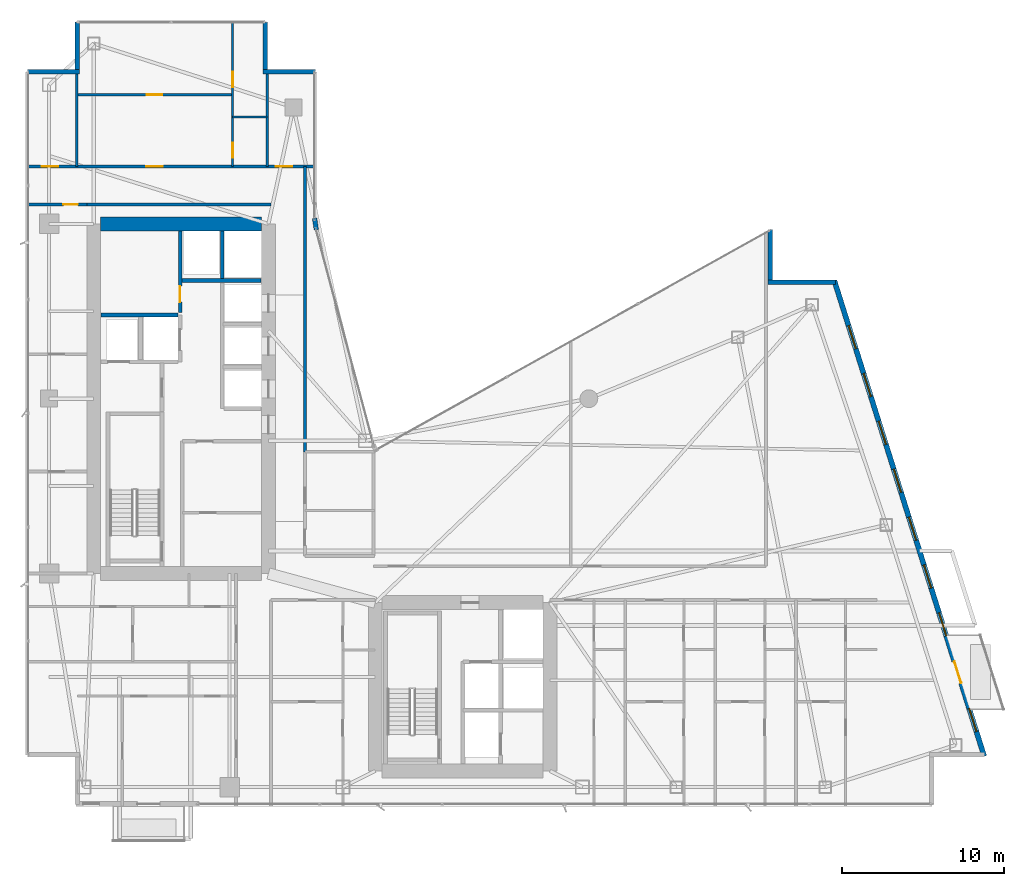
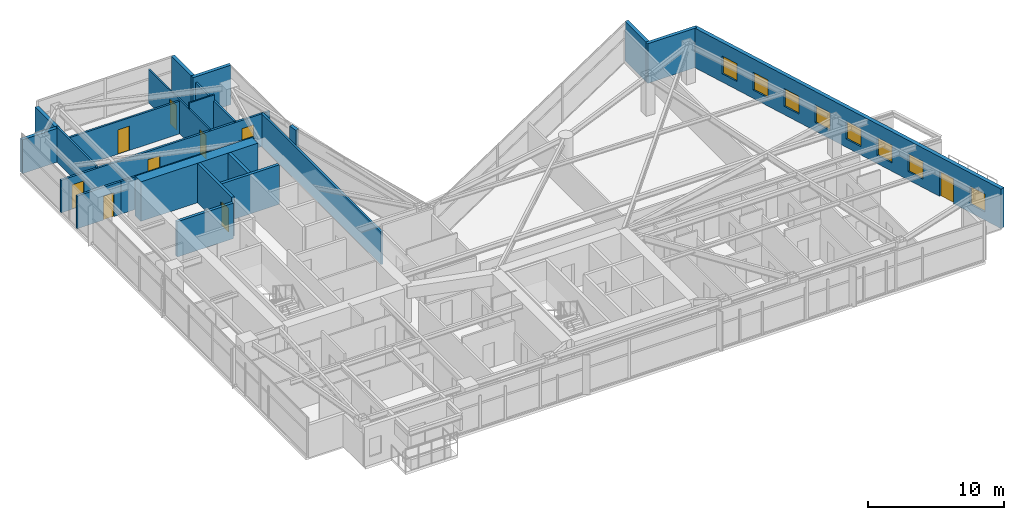
# One storey, part 25 of 29: 22 walls, 9 doors, 8 windows, 17 openings.
"""IFC4 building model written with IfcOpenShell, lengths in metres."""

from ifc_helpers import new_model, si_unit, direction, frame, frame_2d, origin, place, context, subcontext, project, spatial, rectangle, extrude, material, layer, layer_set, type_object, element, fill, save


model = new_model("IFC4")

# Units and contexts
model_context = context("Model", 3, precision=1e-05, world=origin(), true_north=direction((0.0, 1.0)))
body_context = subcontext(model_context, "Body", "Model", "MODEL_VIEW")
ifc_project = project(units=[si_unit("LENGTHUNIT", "METRE"), si_unit("AREAUNIT", "SQUARE_METRE"), si_unit("VOLUMEUNIT", "CUBIC_METRE"), si_unit("PLANEANGLEUNIT", "RADIAN"), si_unit("MASSUNIT", "GRAM", prefix="KILO")], contexts=[model_context])

# Site, building, storey
site_placement = place(None, origin())
site = spatial("IfcSite", under=ifc_project, at=site_placement, CompositionType="ELEMENT")
building_placement = place(site_placement, origin())
building = spatial("IfcBuilding", under=site, at=building_placement, Name="Calvorn Quay Hotel", CompositionType="ELEMENT")
storey_placement = place(building_placement, frame((0.0, 0.0, 171.300048828125)))
storey = spatial("IfcBuildingStorey", under=building, at=storey_placement, Name="L42", CompositionType="ELEMENT", Elevation=171.300048828125)

# Wall
ifc_material_1 = material(Name="Concrete C50", Category="concrete")
ifc_layer_1 = layer(ifc_material_1, 0.85009765625)
ifc_layer_set_1 = layer_set([ifc_layer_1], Name="WL-CORE-850")
wall_type_1 = type_object("IfcWallType", Name="WL-CORE-850", PredefinedType="SHEAR", material=ifc_layer_set_1)
wall_1_placement = place(storey_placement, frame((4.625, 38.39990234375, 0.0), z_axis=(0.0, 0.0, 1.0), x_axis=(1.0, 0.0, 0.0)))
element("IfcWall", 1, at=wall_1_placement, inside=storey, type_object=wall_type_1, Name="West Core Shear Wall N (L42)", PredefinedType="SHEAR", context=body_context, shape_type="SweptSolid", body=[
    extrude(rectangle(XDim=9.949951171875, YDim=0.85009765625, at=frame_2d((4.97509765625, 0.0))), origin(), (0.0, 0.0, 1.0), 3.56005859375),
])

# Wall, opening, door
ifc_material_2 = material(Name="Acoustic Fireboard Steel-Stud Partition", Category="steel")
ifc_layer_2 = layer(ifc_material_2, 0.179931640625)
ifc_layer_set_2 = layer_set([ifc_layer_2], Name="WL-CORR-FIRE-180")
wall_type_2 = type_object("IfcWallType", Name="WL-CORR-FIRE-180", PredefinedType="PARTITIONING", material=ifc_layer_set_2)
wall_2_placement = place(storey_placement, frame((0.080078125, 39.60009765625, 0.0), z_axis=(0.0, 0.0, 1.0), x_axis=(1.0, 0.0, 0.0)))
wall_2 = element("IfcWall", 2, at=wall_2_placement, inside=storey, type_object=wall_type_2, Name="Partition Wall L42-WL-WBAY-N-DOOR", PredefinedType="PARTITIONING", context=body_context, shape_type="SweptSolid", body=[
    extrude(rectangle(XDim=3.724853515625, YDim=0.179931640625, at=frame_2d((1.8623046875, 0.0))), origin(), (0.0, 0.0, 1.0), 2.93994140625),
])
opening_1_placement = place(wall_2_placement, frame((2.25, 0.0, 0.0)))
opening_1 = element("IfcOpeningElement", 3, at=opening_1_placement, cuts=wall_2, Name="Opening D-L42-WBN", PredefinedType="OPENING", context=body_context, shape_type="SweptSolid", body=[
    extrude(rectangle(XDim=0.89990234375, YDim=2.14990234375, at=frame_2d((0.449951171875, 1.074951171875))), frame((0.0, 0.099853515625, 0.0), z_axis=(0.0, -1.0, 0.0), x_axis=(1.0, 0.0, 0.0)), (0.0, 0.0, 1.0), 0.199951171875),
])
ifc_material_3 = material(Name="Moisture-Sealed Timber En-Suite Door", Category="wood")
door_type_1 = type_object("IfcDoorType", Name="DR-ENSUITE-900", OperationType="NOTDEFINED", PredefinedType="DOOR", material=ifc_material_3)
door_1_placement = place(opening_1_placement, origin())
door_1 = element("IfcDoor", 4, at=door_1_placement, inside=storey, type_object=door_type_1, Name="West North Bay Door (L42)", OperationType="SINGLE_SWING_LEFT", OverallHeight=2.14990234375, OverallWidth=0.89990234375, PredefinedType="DOOR", context=body_context, shape_type="SweptSolid", body=[
    extrude(rectangle(XDim=0.89990234375, YDim=2.14990234375, at=frame_2d((0.449951171875, 1.074951171875))), frame((0.0, 0.02490234375, 0.0), z_axis=(0.0, -1.0, 0.0), x_axis=(1.0, 0.0, 0.0)), (0.0, 0.0, 1.0), 0.050048828125),
])
fill(opening_1, door_1)

# Wall, openings, doors
wall_3_placement = place(storey_placement, frame((0.080078125, 41.949951171875, 0.0), z_axis=(0.0, 0.0, 1.0), x_axis=(1.0, 0.0, 0.0)))
wall_3 = element("IfcWall", 5, at=wall_3_placement, inside=storey, type_object=wall_type_2, Name="Partition Wall L42-WL-CORR-NW-N", PredefinedType="PARTITIONING", context=body_context, shape_type="SweptSolid", body=[
    extrude(rectangle(XDim=17.77001953125, YDim=0.179931640625, at=frame_2d((8.885009765625, 0.0))), origin(), (0.0, 0.0, 1.0), 2.93994140625),
])
opening_2_placement = place(wall_3_placement, frame((0.89990234375, 0.0, 0.0)))
opening_2 = element("IfcOpeningElement", 6, at=opening_2_placement, cuts=wall_3, Name="Opening D-L42-NWW", PredefinedType="OPENING", context=body_context, shape_type="SweptSolid", body=[
    extrude(rectangle(XDim=1.02001953125, YDim=2.199951171875, at=frame_2d((0.510009765625, 1.10009765625))), frame((0.0, 0.099853515625, 0.0), z_axis=(0.0, -1.0, 0.0), x_axis=(1.0, 0.0, 0.0)), (0.0, 0.0, 1.0), 0.199951171875),
])
opening_3_placement = place(wall_3_placement, frame((7.3798828125, 0.0, 0.0)))
opening_3 = element("IfcOpeningElement", 7, at=opening_3_placement, cuts=wall_3, Name="Opening D-L42-U04", PredefinedType="OPENING", context=body_context, shape_type="SweptSolid", body=[
    extrude(rectangle(XDim=1.02001953125, YDim=2.199951171875, at=frame_2d((0.510009765625, 1.10009765625))), frame((0.0, 0.099853515625, 0.0), z_axis=(0.0, -1.0, 0.0), x_axis=(1.0, 0.0, 0.0)), (0.0, 0.0, 1.0), 0.199951171875),
])
opening_4_placement = place(wall_3_placement, frame((15.3701171875, 0.0, 0.0)))
opening_4 = element("IfcOpeningElement", 8, at=opening_4_placement, cuts=wall_3, Name="Opening D-L42-NWE", PredefinedType="OPENING", context=body_context, shape_type="SweptSolid", body=[
    extrude(rectangle(XDim=1.02001953125, YDim=2.199951171875, at=frame_2d((0.510009765625, 1.10009765625))), frame((0.0, 0.099853515625, 0.0), z_axis=(0.0, -1.0, 0.0), x_axis=(1.0, 0.0, 0.0)), (0.0, 0.0, 1.0), 0.199951171875),
])
ifc_material_4 = material(Name="Solid-Core Walnut Veneer Hotel Fire Door")
door_type_2 = type_object("IfcDoorType", Name="DR-GUEST-ENTRY-1020", OperationType="NOTDEFINED", PredefinedType="DOOR", material=ifc_material_4)
door_2_placement = place(opening_2_placement, origin())
door_2 = element("IfcDoor", 9, at=door_2_placement, inside=storey, type_object=door_type_2, Name="West Corner Study Door (L42)", OperationType="SINGLE_SWING_LEFT", OverallHeight=2.199951171875, OverallWidth=1.02001953125, PredefinedType="DOOR", context=body_context, shape_type="SweptSolid", body=[
    extrude(rectangle(XDim=1.02001953125, YDim=2.199951171875, at=frame_2d((0.510009765625, 1.10009765625))), frame((0.0, 0.02490234375, 0.0), z_axis=(0.0, -1.0, 0.0), x_axis=(1.0, 0.0, 0.0)), (0.0, 0.0, 1.0), 0.050048828125),
])
fill(opening_2, door_2)
door_3_placement = place(opening_3_placement, origin())
door_3 = element("IfcDoor", 10, at=door_3_placement, inside=storey, type_object=door_type_2, Name="North-West Unit Door U04 (L42)", OperationType="SINGLE_SWING_RIGHT", OverallHeight=2.199951171875, OverallWidth=1.02001953125, PredefinedType="DOOR", context=body_context, shape_type="SweptSolid", body=[
    extrude(rectangle(XDim=1.02001953125, YDim=2.199951171875, at=frame_2d((0.510009765625, 1.10009765625))), frame((0.0, 0.02490234375, 0.0), z_axis=(0.0, -1.0, 0.0), x_axis=(1.0, 0.0, 0.0)), (0.0, 0.0, 1.0), 0.050048828125),
])
fill(opening_3, door_3)
door_4_placement = place(opening_4_placement, origin())
door_4 = element("IfcDoor", 11, at=door_4_placement, inside=storey, type_object=door_type_2, Name="Inner Court Study Door (L42)", OperationType="SINGLE_SWING_RIGHT", OverallHeight=2.199951171875, OverallWidth=1.02001953125, PredefinedType="DOOR", context=body_context, shape_type="SweptSolid", body=[
    extrude(rectangle(XDim=1.02001953125, YDim=2.199951171875, at=frame_2d((0.510009765625, 1.10009765625))), frame((0.0, 0.02490234375, 0.0), z_axis=(0.0, -1.0, 0.0), x_axis=(1.0, 0.0, 0.0)), (0.0, 0.0, 1.0), 0.050048828125),
])
fill(opening_4, door_4)

# Walls
wall_4_placement = place(storey_placement, frame((17.25, 24.300048828125, 0.0), z_axis=(0.0, 0.0, 1.0), x_axis=(0.0, 1.0, 0.0)))
element("IfcWall", 12, at=wall_4_placement, inside=storey, type_object=wall_type_2, Name="Partition Wall L42-WL-NW-CLOSURE-E", PredefinedType="PARTITIONING", context=body_context, shape_type="SweptSolid", body=[
    extrude(rectangle(XDim=17.64990234375, YDim=0.179931640625, at=frame_2d((8.824951171875, 0.0))), origin(), (0.0, 0.0, 1.0), 2.93994140625),
])
wall_5_placement = place(storey_placement, frame((3.7548828125, 39.60009765625, 0.0), z_axis=(0.0, 0.0, 1.0), x_axis=(1.0, 0.0, 0.0)))
element("IfcWall", 13, at=wall_5_placement, inside=storey, type_object=wall_type_2, Name="Partition Wall L42-WL-W-SPUR-S", PredefinedType="PARTITIONING", context=body_context, shape_type="SweptSolid", body=[
    extrude(rectangle(XDim=11.39501953125, YDim=0.179931640625, at=frame_2d((5.697509765625, 0.0))), origin(), (0.0, 0.0, 1.0), 2.93994140625),
])
ifc_material_5 = material(Name="Moisture-Resistant Tile-Backed Partition")
ifc_layer_3 = layer(ifc_material_5, 0.125)
ifc_layer_set_3 = layer_set([ifc_layer_3], Name="WL-ENSUITE-125")
wall_type_3 = type_object("IfcWallType", Name="WL-ENSUITE-125", PredefinedType="PARTITIONING", material=ifc_layer_set_3)
wall_6_placement = place(storey_placement, frame((12.7900390625, 45.02001953125, 0.0), z_axis=(0.0, 0.0, 1.0), x_axis=(1.0, 0.0, 0.0)))
element("IfcWall", 14, at=wall_6_placement, inside=storey, type_object=wall_type_3, Name="Partition Wall L42-WL-U04-BDV", PredefinedType="PARTITIONING", context=body_context, shape_type="SweptSolid", body=[
    extrude(rectangle(XDim=2.1298828125, YDim=0.125, at=frame_2d((1.06494140625, 0.0))), origin(), (0.0, 0.0, 1.0), 3.56005859375),
])

# Wall, openings, doors
wall_7_placement = place(storey_placement, frame((12.7900390625, 41.949951171875, 0.0), z_axis=(0.0, 0.0, 1.0), x_axis=(0.0, 1.0, 0.0)))
wall_7 = element("IfcWall", 15, at=wall_7_placement, inside=storey, type_object=wall_type_3, Name="Partition Wall L42-WL-U04-BV", PredefinedType="PARTITIONING", context=body_context, shape_type="SweptSolid", body=[
    extrude(rectangle(XDim=8.989990234375, YDim=0.125, at=frame_2d((4.4951171875, 0.0))), origin(), (0.0, 0.0, 1.0), 3.0400390625),
])
opening_5_placement = place(wall_7_placement, frame((0.550048828125, 0.0, 0.0)))
opening_5 = element("IfcOpeningElement", 16, at=opening_5_placement, cuts=wall_7, Name="Opening D-L42-E04", PredefinedType="OPENING", context=body_context, shape_type="SweptSolid", body=[
    extrude(rectangle(XDim=0.89990234375, YDim=2.14990234375, at=frame_2d((0.449951171875, 1.074951171875))), frame((0.0, 0.072509765625, 0.0), z_axis=(0.0, -1.0, 0.0), x_axis=(1.0, 0.0, 0.0)), (0.0, 0.0, 1.0), 0.14501953125),
])
opening_6_placement = place(wall_7_placement, frame((4.8798828125, 0.0, 0.0)))
opening_6 = element("IfcOpeningElement", 17, at=opening_6_placement, cuts=wall_7, Name="Opening D-L42-S04", PredefinedType="OPENING", context=body_context, shape_type="SweptSolid", body=[
    extrude(rectangle(XDim=0.9599609375, YDim=2.199951171875, at=frame_2d((0.47998046875, 1.10009765625))), frame((0.0, 0.072509765625, 0.0), z_axis=(0.0, -1.0, 0.0), x_axis=(1.0, 0.0, 0.0)), (0.0, 0.0, 1.0), 0.14501953125),
])
door_5_placement = place(opening_5_placement, origin())
door_5 = element("IfcDoor", 18, at=door_5_placement, inside=storey, type_object=door_type_1, Name="En-Suite Door 04", OperationType="SINGLE_SWING_LEFT", OverallHeight=2.14990234375, OverallWidth=0.89990234375, PredefinedType="DOOR", context=body_context, shape_type="SweptSolid", body=[
    extrude(rectangle(XDim=0.89990234375, YDim=2.14990234375, at=frame_2d((0.449951171875, 1.074951171875))), frame((0.0, 0.02490234375, 0.0), z_axis=(0.0, -1.0, 0.0), x_axis=(1.0, 0.0, 0.0)), (0.0, 0.0, 1.0), 0.050048828125),
])
fill(opening_5, door_5)
ifc_material_6 = material(Name="Solid Timber Internal Suite Door", Category="wood")
door_type_3 = type_object("IfcDoorType", Name="DR-SUITE-INT-960", OperationType="NOTDEFINED", PredefinedType="DOOR", material=ifc_material_6)
door_6_placement = place(opening_6_placement, origin())
door_6 = element("IfcDoor", 19, at=door_6_placement, inside=storey, type_object=door_type_3, Name="Private Media Cinema Door 04", OperationType="SINGLE_SWING_RIGHT", OverallHeight=2.199951171875, OverallWidth=0.9599609375, PredefinedType="DOOR", context=body_context, shape_type="SweptSolid", body=[
    extrude(rectangle(XDim=0.9599609375, YDim=2.199951171875, at=frame_2d((0.47998046875, 1.10009765625))), frame((0.0, 0.02490234375, 0.0), z_axis=(0.0, -1.0, 0.0), x_axis=(1.0, 0.0, 0.0)), (0.0, 0.0, 1.0), 0.050048828125),
])
fill(opening_6, door_6)

# Walls
ifc_material_7 = material(Name="Concrete C40", Category="concrete")
ifc_layer_4 = layer(ifc_material_7, 0.320068359375)
ifc_layer_set_4 = layer_set([ifc_layer_4], Name="WL-EXT-SPANDREL-320")
wall_type_4 = type_object("IfcWallType", Name="WL-EXT-SPANDREL-320", PredefinedType="SOLIDWALL", material=ifc_layer_set_4)
wall_8_placement = place(storey_placement, frame((17.9619140625, 38.030029296875, 0.0), z_axis=(0.0, 0.0, 1.0), x_axis=(-0.15141125477, 0.988470855377, 0.0)))
element("IfcWall", 20, at=wall_8_placement, inside=storey, type_object=wall_type_4, Name="Inner Court Corner Pier L42-ICJ2", PredefinedType="SOLIDWALL", context=body_context, shape_type="SweptSolid", body=[
    extrude(rectangle(XDim=0.738525390625, YDim=0.280029296875, at=frame_2d((0.369140625, 0.0))), origin(), (0.0, 0.0, 1.0), 3.56005859375),
])
wall_9_placement = place(storey_placement, frame((50.0400390625, 34.800048828125, 0.0), z_axis=(0.0, 0.0, 1.0), x_axis=(-1.0, 0.0, 0.0)))
element("IfcWall", 21, at=wall_9_placement, inside=storey, type_object=wall_type_4, Name="Notched Corner Spandrel L42-NE1", PredefinedType="SOLIDWALL", context=body_context, shape_type="SweptSolid", body=[
    extrude(rectangle(XDim=4.179931640625, YDim=0.280029296875, at=frame_2d((2.08984375, 0.0))), origin(), (0.0, 0.0, 1.0), 3.56005859375),
])
wall_10_placement = place(storey_placement, frame((46.0, 34.93994140625, 0.0), z_axis=(0.0, 0.0, 1.0), x_axis=(0.0, 1.0, 0.0)))
element("IfcWall", 22, at=wall_10_placement, inside=storey, type_object=wall_type_4, Name="Notched Corner Spandrel L42-NE2", PredefinedType="SOLIDWALL", context=body_context, shape_type="SweptSolid", body=[
    extrude(rectangle(XDim=3.10009765625, YDim=0.280029296875, at=frame_2d((1.550048828125, 0.0))), origin(), (0.0, 0.0, 1.0), 3.56005859375),
])
wall_11_placement = place(storey_placement, frame((17.89990234375, 47.800048828125, 0.0), z_axis=(0.0, 0.0, 1.0), x_axis=(-1.0, 0.0, 0.0)))
element("IfcWall", 23, at=wall_11_placement, inside=storey, type_object=wall_type_4, Name="Notched Corner Spandrel L42-NWE1", PredefinedType="SOLIDWALL", context=body_context, shape_type="SweptSolid", body=[
    extrude(rectangle(XDim=3.239990234375, YDim=0.280029296875, at=frame_2d((1.6201171875, 0.0))), origin(), (0.0, 0.0, 1.0), 3.56005859375),
])
wall_12_placement = place(storey_placement, frame((14.800048828125, 47.93994140625, 0.0), z_axis=(0.0, 0.0, 1.0), x_axis=(0.0, 1.0, 0.0)))
element("IfcWall", 24, at=wall_12_placement, inside=storey, type_object=wall_type_4, Name="Notched Corner Spandrel L42-NWE2", PredefinedType="SOLIDWALL", context=body_context, shape_type="SweptSolid", body=[
    extrude(rectangle(XDim=2.93994140625, YDim=0.280029296875, at=frame_2d((1.469970703125, 0.0))), origin(), (0.0, 0.0, 1.0), 3.56005859375),
])
wall_13_placement = place(storey_placement, frame((3.199951171875, 50.8798828125, 0.0), z_axis=(0.0, 0.0, 1.0), x_axis=(0.0, -1.0, 0.0)))
element("IfcWall", 25, at=wall_13_placement, inside=storey, type_object=wall_type_4, Name="Notched Corner Spandrel L42-NW1", PredefinedType="SOLIDWALL", context=body_context, shape_type="SweptSolid", body=[
    extrude(rectangle(XDim=2.93994140625, YDim=0.280029296875, at=frame_2d((1.469970703125, 0.0))), origin(), (0.0, 0.0, 1.0), 3.0400390625),
])
wall_14_placement = place(storey_placement, frame((3.340087890625, 47.800048828125, 0.0), z_axis=(0.0, 0.0, 1.0), x_axis=(-1.0, 0.0, 0.0)))
element("IfcWall", 26, at=wall_14_placement, inside=storey, type_object=wall_type_4, Name="Notched Corner Spandrel L42-NW2", PredefinedType="SOLIDWALL", context=body_context, shape_type="SweptSolid", body=[
    extrude(rectangle(XDim=3.219970703125, YDim=0.280029296875, at=frame_2d((1.60986328125, 0.0))), origin(), (0.0, 0.0, 1.0), 3.0400390625),
])

# Wall, openings, door, windows
wall_15_placement = place(storey_placement, frame((59.22998046875, 5.5048828125, 0.0), z_axis=(0.0, 0.0, 1.0), x_axis=(-0.300509063924, 0.953778958931, 0.0)))
wall_15 = element("IfcWall", 27, at=wall_15_placement, inside=storey, type_object=wall_type_4, Name="East Stepped Waterfront Exterior Wall (L42)", PredefinedType="SOLIDWALL", context=body_context, shape_type="SweptSolid", body=[
    extrude(rectangle(XDim=30.814453125, YDim=0.320068359375, at=frame_2d((15.4072265625, 0.0))), origin(), (0.0, 0.0, 1.0), 3.56005859375),
])
opening_7_placement = place(wall_15_placement, frame((4.7470703125, 0.0, 0.0)))
opening_7 = element("IfcOpeningElement", 28, at=opening_7_placement, cuts=wall_15, Name="Opening DB-L42-1", PredefinedType="OPENING", context=body_context, shape_type="SweptSolid", body=[
    extrude(rectangle(XDim=1.39990234375, YDim=2.25, at=frame_2d((0.699951171875, 1.125))), frame((0.0, 0.169921875, 0.0), z_axis=(0.0, -1.0, 0.0), x_axis=(1.0, 0.0, 0.0)), (0.0, 0.0, 1.0), 0.340087890625),
])
opening_8_placement = place(wall_15_placement, frame((1.60009765625, 0.0, 0.75)))
opening_8 = element("IfcOpeningElement", 29, at=opening_8_placement, cuts=wall_15, Name="Opening WG-L42-E1", PredefinedType="OPENING", context=body_context, shape_type="SweptSolid", body=[
    extrude(rectangle(XDim=1.5, YDim=1.60009765625, at=frame_2d((0.75, 0.800048828125))), frame((0.0, 0.169921875, 0.0), z_axis=(0.0, -1.0, 0.0), x_axis=(1.0, 0.0, 0.0)), (0.0, 0.0, 1.0), 0.340087890625),
])
opening_9_placement = place(wall_15_placement, frame((7.800048828125, 0.0, 0.75)))
opening_9 = element("IfcOpeningElement", 30, at=opening_9_placement, cuts=wall_15, Name="Opening WG-L42-E2", PredefinedType="OPENING", context=body_context, shape_type="SweptSolid", body=[
    extrude(rectangle(XDim=1.5, YDim=1.60009765625, at=frame_2d((0.75, 0.800048828125))), frame((0.0, 0.169921875, 0.0), z_axis=(0.0, -1.0, 0.0), x_axis=(1.0, 0.0, 0.0)), (0.0, 0.0, 1.0), 0.340087890625),
])
opening_10_placement = place(wall_15_placement, frame((10.89990234375, 0.0, 0.75)))
opening_10 = element("IfcOpeningElement", 31, at=opening_10_placement, cuts=wall_15, Name="Opening WG-L42-E3", PredefinedType="OPENING", context=body_context, shape_type="SweptSolid", body=[
    extrude(rectangle(XDim=1.5, YDim=1.60009765625, at=frame_2d((0.75, 0.800048828125))), frame((0.0, 0.169921875, 0.0), z_axis=(0.0, -1.0, 0.0), x_axis=(1.0, 0.0, 0.0)), (0.0, 0.0, 1.0), 0.340087890625),
])
opening_11_placement = place(wall_15_placement, frame((14.0, 0.0, 0.75)))
opening_11 = element("IfcOpeningElement", 32, at=opening_11_placement, cuts=wall_15, Name="Opening WG-L42-E4", PredefinedType="OPENING", context=body_context, shape_type="SweptSolid", body=[
    extrude(rectangle(XDim=1.5, YDim=1.60009765625, at=frame_2d((0.75, 0.800048828125))), frame((0.0, 0.169921875, 0.0), z_axis=(0.0, -1.0, 0.0), x_axis=(1.0, 0.0, 0.0)), (0.0, 0.0, 1.0), 0.340087890625),
])
opening_12_placement = place(wall_15_placement, frame((17.10009765625, 0.0, 0.75)))
opening_12 = element("IfcOpeningElement", 33, at=opening_12_placement, cuts=wall_15, Name="Opening WG-L42-E5", PredefinedType="OPENING", context=body_context, shape_type="SweptSolid", body=[
    extrude(rectangle(XDim=1.5, YDim=1.60009765625, at=frame_2d((0.75, 0.800048828125))), frame((0.0, 0.169921875, 0.0), z_axis=(0.0, -1.0, 0.0), x_axis=(1.0, 0.0, 0.0)), (0.0, 0.0, 1.0), 0.340087890625),
])
opening_13_placement = place(wall_15_placement, frame((20.199951171875, 0.0, 0.75)))
opening_13 = element("IfcOpeningElement", 34, at=opening_13_placement, cuts=wall_15, Name="Opening WG-L42-E6", PredefinedType="OPENING", context=body_context, shape_type="SweptSolid", body=[
    extrude(rectangle(XDim=1.5, YDim=1.60009765625, at=frame_2d((0.75, 0.800048828125))), frame((0.0, 0.169921875, 0.0), z_axis=(0.0, -1.0, 0.0), x_axis=(1.0, 0.0, 0.0)), (0.0, 0.0, 1.0), 0.340087890625),
])
opening_14_placement = place(wall_15_placement, frame((23.300048828125, 0.0, 0.75)))
opening_14 = element("IfcOpeningElement", 35, at=opening_14_placement, cuts=wall_15, Name="Opening WG-L42-E7", PredefinedType="OPENING", context=body_context, shape_type="SweptSolid", body=[
    extrude(rectangle(XDim=1.5, YDim=1.60009765625, at=frame_2d((0.75, 0.800048828125))), frame((0.0, 0.169921875, 0.0), z_axis=(0.0, -1.0, 0.0), x_axis=(1.0, 0.0, 0.0)), (0.0, 0.0, 1.0), 0.340087890625),
])
opening_15_placement = place(wall_15_placement, frame((26.39990234375, 0.0, 0.75)))
opening_15 = element("IfcOpeningElement", 36, at=opening_15_placement, cuts=wall_15, Name="Opening WG-L42-E8", PredefinedType="OPENING", context=body_context, shape_type="SweptSolid", body=[
    extrude(rectangle(XDim=1.5, YDim=1.60009765625, at=frame_2d((0.75, 0.800048828125))), frame((0.0, 0.169921875, 0.0), z_axis=(0.0, -1.0, 0.0), x_axis=(1.0, 0.0, 0.0)), (0.0, 0.0, 1.0), 0.340087890625),
])
ifc_material_8 = material(Name="Typhoon-Rated Low-E Aluminium Terrace Door", Category="aluminium")
door_type_4 = type_object("IfcDoorType", Name="DR-BALCONY-GLZ-1400", OperationType="NOTDEFINED", PredefinedType="DOOR", material=ifc_material_8)
door_7_placement = place(opening_7_placement, origin())
door_7 = element("IfcDoor", 37, at=door_7_placement, inside=storey, type_object=door_type_4, Name="Tree Balcony Terrace Door L42-BALC-E", OperationType="SINGLE_SWING_LEFT", OverallHeight=2.25, OverallWidth=1.39990234375, PredefinedType="DOOR", context=body_context, shape_type="SweptSolid", body=[
    extrude(rectangle(XDim=1.39990234375, YDim=2.25, at=frame_2d((0.699951171875, 1.125))), frame((0.0, 0.02490234375, 0.0), z_axis=(0.0, -1.0, 0.0), x_axis=(1.0, 0.0, 0.0)), (0.0, 0.0, 1.0), 0.050048828125),
])
fill(opening_7, door_7)
ifc_material_9 = material(Name="Self-Closing Class B Fire Window")
window_type = type_object("IfcWindowType", Name="WIN-REFUGE-1500x1600", PartitioningType="SINGLE_PANEL", PredefinedType="WINDOW", material=ifc_material_9)
window_1_placement = place(opening_8_placement, origin())
window_1 = element("IfcWindow", 38, at=window_1_placement, inside=storey, type_object=window_type, Name="East Facade Window L42-E1", OverallHeight=1.60009765625, OverallWidth=1.5, PartitioningType="SINGLE_PANEL", PredefinedType="WINDOW", context=body_context, shape_type="SweptSolid", body=[
    extrude(rectangle(XDim=1.5, YDim=1.60009765625, at=frame_2d((0.75, 0.800048828125))), frame((0.0, 0.030029296875, 0.0), z_axis=(0.0, -1.0, 0.0), x_axis=(1.0, 0.0, 0.0)), (0.0, 0.0, 1.0), 0.06005859375),
])
fill(opening_8, window_1)
window_2_placement = place(opening_9_placement, origin())
window_2 = element("IfcWindow", 39, at=window_2_placement, inside=storey, type_object=window_type, Name="East Facade Window L42-E2", OverallHeight=1.60009765625, OverallWidth=1.5, PartitioningType="SINGLE_PANEL", PredefinedType="WINDOW", context=body_context, shape_type="SweptSolid", body=[
    extrude(rectangle(XDim=1.5, YDim=1.60009765625, at=frame_2d((0.75, 0.800048828125))), frame((0.0, 0.030029296875, 0.0), z_axis=(0.0, -1.0, 0.0), x_axis=(1.0, 0.0, 0.0)), (0.0, 0.0, 1.0), 0.06005859375),
])
fill(opening_9, window_2)
window_3_placement = place(opening_10_placement, origin())
window_3 = element("IfcWindow", 40, at=window_3_placement, inside=storey, type_object=window_type, Name="East Facade Window L42-E3", OverallHeight=1.60009765625, OverallWidth=1.5, PartitioningType="SINGLE_PANEL", PredefinedType="WINDOW", context=body_context, shape_type="SweptSolid", body=[
    extrude(rectangle(XDim=1.5, YDim=1.60009765625, at=frame_2d((0.75, 0.800048828125))), frame((0.0, 0.030029296875, 0.0), z_axis=(0.0, -1.0, 0.0), x_axis=(1.0, 0.0, 0.0)), (0.0, 0.0, 1.0), 0.06005859375),
])
fill(opening_10, window_3)
window_4_placement = place(opening_11_placement, origin())
window_4 = element("IfcWindow", 41, at=window_4_placement, inside=storey, type_object=window_type, Name="East Facade Window L42-E4", OverallHeight=1.60009765625, OverallWidth=1.5, PartitioningType="SINGLE_PANEL", PredefinedType="WINDOW", context=body_context, shape_type="SweptSolid", body=[
    extrude(rectangle(XDim=1.5, YDim=1.60009765625, at=frame_2d((0.75, 0.800048828125))), frame((0.0, 0.030029296875, 0.0), z_axis=(0.0, -1.0, 0.0), x_axis=(1.0, 0.0, 0.0)), (0.0, 0.0, 1.0), 0.06005859375),
])
fill(opening_11, window_4)
window_5_placement = place(opening_12_placement, origin())
window_5 = element("IfcWindow", 42, at=window_5_placement, inside=storey, type_object=window_type, Name="East Facade Window L42-E5", OverallHeight=1.60009765625, OverallWidth=1.5, PartitioningType="SINGLE_PANEL", PredefinedType="WINDOW", context=body_context, shape_type="SweptSolid", body=[
    extrude(rectangle(XDim=1.5, YDim=1.60009765625, at=frame_2d((0.75, 0.800048828125))), frame((0.0, 0.030029296875, 0.0), z_axis=(0.0, -1.0, 0.0), x_axis=(1.0, 0.0, 0.0)), (0.0, 0.0, 1.0), 0.06005859375),
])
fill(opening_12, window_5)
window_6_placement = place(opening_13_placement, origin())
window_6 = element("IfcWindow", 43, at=window_6_placement, inside=storey, type_object=window_type, Name="East Facade Window L42-E6", OverallHeight=1.60009765625, OverallWidth=1.5, PartitioningType="SINGLE_PANEL", PredefinedType="WINDOW", context=body_context, shape_type="SweptSolid", body=[
    extrude(rectangle(XDim=1.5, YDim=1.60009765625, at=frame_2d((0.75, 0.800048828125))), frame((0.0, 0.030029296875, 0.0), z_axis=(0.0, -1.0, 0.0), x_axis=(1.0, 0.0, 0.0)), (0.0, 0.0, 1.0), 0.06005859375),
])
fill(opening_13, window_6)
window_7_placement = place(opening_14_placement, origin())
window_7 = element("IfcWindow", 44, at=window_7_placement, inside=storey, type_object=window_type, Name="East Facade Window L42-E7", OverallHeight=1.60009765625, OverallWidth=1.5, PartitioningType="SINGLE_PANEL", PredefinedType="WINDOW", context=body_context, shape_type="SweptSolid", body=[
    extrude(rectangle(XDim=1.5, YDim=1.60009765625, at=frame_2d((0.75, 0.800048828125))), frame((0.0, 0.030029296875, 0.0), z_axis=(0.0, -1.0, 0.0), x_axis=(1.0, 0.0, 0.0)), (0.0, 0.0, 1.0), 0.06005859375),
])
fill(opening_14, window_7)
window_8_placement = place(opening_15_placement, origin())
window_8 = element("IfcWindow", 45, at=window_8_placement, inside=storey, type_object=window_type, Name="East Facade Window L42-E8", OverallHeight=1.60009765625, OverallWidth=1.5, PartitioningType="SINGLE_PANEL", PredefinedType="WINDOW", context=body_context, shape_type="SweptSolid", body=[
    extrude(rectangle(XDim=1.5, YDim=1.60009765625, at=frame_2d((0.75, 0.800048828125))), frame((0.0, 0.030029296875, 0.0), z_axis=(0.0, -1.0, 0.0), x_axis=(1.0, 0.0, 0.0)), (0.0, 0.0, 1.0), 0.06005859375),
])
fill(opening_15, window_8)

# Walls
ifc_material_10 = material(Name="Double-Stud Acoustic Gypsum Partition")
ifc_layer_5 = layer(ifc_material_10, 0.159912109375)
ifc_layer_set_5 = layer_set([ifc_layer_5], Name="WL-INTERSUITE-160")
wall_type_5 = type_object("IfcWallType", Name="WL-INTERSUITE-160", PredefinedType="PARTITIONING", material=ifc_layer_set_5)
wall_16_placement = place(storey_placement, frame((3.14990234375, 41.949951171875, 0.0), z_axis=(0.0, 0.0, 1.0), x_axis=(0.0, 1.0, 0.0)))
element("IfcWall", 46, at=wall_16_placement, inside=storey, type_object=wall_type_5, Name="Partition Wall L42-WL-NW-DIV-W0", PredefinedType="PARTITIONING", context=body_context, shape_type="SweptSolid", body=[
    extrude(rectangle(XDim=5.85009765625, YDim=0.159912109375, at=frame_2d((2.925048828125, 0.0))), origin(), (0.0, 0.0, 1.0), 3.139892578125),
])
wall_17_placement = place(storey_placement, frame((14.919921875, 41.949951171875, 0.0), z_axis=(0.0, 0.0, 1.0), x_axis=(0.0, 1.0, 0.0)))
element("IfcWall", 47, at=wall_17_placement, inside=storey, type_object=wall_type_5, Name="Partition Wall L42-WL-NW-DIV-E0", PredefinedType="PARTITIONING", context=body_context, shape_type="SweptSolid", body=[
    extrude(rectangle(XDim=5.85009765625, YDim=0.159912109375, at=frame_2d((2.925048828125, 0.0))), origin(), (0.0, 0.0, 1.0), 3.0400390625),
])

# Wall, opening, door
wall_18_placement = place(storey_placement, frame((3.14990234375, 46.3798828125, 0.0), z_axis=(0.0, 0.0, 1.0), x_axis=(1.0, 0.0, 0.0)))
wall_18 = element("IfcWall", 48, at=wall_18_placement, inside=storey, type_object=wall_type_5, Name="Partition Wall L42-WL-U04-MSP", PredefinedType="PARTITIONING", context=body_context, shape_type="SweptSolid", body=[
    extrude(rectangle(XDim=9.64013671875, YDim=0.159912109375, at=frame_2d((4.820068359375, 0.0))), origin(), (0.0, 0.0, 1.0), 2.93994140625),
])
opening_16_placement = place(wall_18_placement, frame((4.340087890625, 0.0, 0.0)))
opening_16 = element("IfcOpeningElement", 49, at=opening_16_placement, cuts=wall_18, Name="Opening D-L42-M04", PredefinedType="OPENING", context=body_context, shape_type="SweptSolid", body=[
    extrude(rectangle(XDim=0.9599609375, YDim=2.199951171875, at=frame_2d((0.47998046875, 1.10009765625))), frame((0.0, 0.08984375, 0.0), z_axis=(0.0, -1.0, 0.0), x_axis=(1.0, 0.0, 0.0)), (0.0, 0.0, 1.0), 0.179931640625),
])
door_8_placement = place(opening_16_placement, origin())
door_8 = element("IfcDoor", 50, at=door_8_placement, inside=storey, type_object=door_type_3, Name="Suite Bedroom Door 04", OperationType="SINGLE_SWING_LEFT", OverallHeight=2.199951171875, OverallWidth=0.9599609375, PredefinedType="DOOR", context=body_context, shape_type="SweptSolid", body=[
    extrude(rectangle(XDim=0.9599609375, YDim=2.199951171875, at=frame_2d((0.47998046875, 1.10009765625))), frame((0.0, 0.02490234375, 0.0), z_axis=(0.0, -1.0, 0.0), x_axis=(1.0, 0.0, 0.0)), (0.0, 0.0, 1.0), 0.050048828125),
])
fill(opening_16, door_8)

ifc_material_11 = material(Name="Autoclaved Aerated Masonry Block", Category="masonry")
ifc_layer_6 = layer(ifc_material_11, 0.219970703125)
ifc_layer_set_6 = layer_set([ifc_layer_6], Name="WL-LOBBY-FIRE-220")
wall_type_6 = type_object("IfcWallType", Name="WL-LOBBY-FIRE-220", PredefinedType="SOLIDWALL", material=ifc_layer_set_6)
wall_19_placement = place(storey_placement, frame((9.5400390625, 32.919921875, 0.0), z_axis=(0.0, 0.0, 1.0), x_axis=(0.0, 1.0, 0.0)))
wall_19 = element("IfcWall", 51, at=wall_19_placement, inside=storey, type_object=wall_type_6, Name="Partition Wall L42-WL-CWW-K-E", PredefinedType="SOLIDWALL", context=body_context, shape_type="SweptSolid", body=[
    extrude(rectangle(XDim=5.03515625, YDim=0.219970703125, at=frame_2d((2.517578125, 0.0))), origin(), (0.0, 0.0, 1.0), 3.56005859375),
])
opening_17_placement = place(wall_19_placement, frame((0.64990234375, 0.0, 0.0)))
opening_17 = element("IfcOpeningElement", 52, at=opening_17_placement, cuts=wall_19, Name="Opening D-L42-CK1", PredefinedType="OPENING", context=body_context, shape_type="SweptSolid", body=[
    extrude(rectangle(XDim=0.97998046875, YDim=2.14990234375, at=frame_2d((0.489990234375, 1.074951171875))), frame((0.0, 0.119873046875, 0.0), z_axis=(0.0, -1.0, 0.0), x_axis=(1.0, 0.0, 0.0)), (0.0, 0.0, 1.0), 0.239990234375),
])
ifc_material_12 = material(Name="Painted Steel Housekeeping/Riser Fire Door", Category="steel")
door_type_5 = type_object("IfcDoorType", Name="DR-SERVICE-980", OperationType="NOTDEFINED", PredefinedType="DOOR", material=ifc_material_12)
door_9_placement = place(opening_17_placement, origin())
door_9 = element("IfcDoor", 53, at=door_9_placement, inside=storey, type_object=door_type_5, Name="Core Linen Room Door (L42)", OperationType="SINGLE_SWING_LEFT", OverallHeight=2.14990234375, OverallWidth=0.97998046875, PredefinedType="DOOR", context=body_context, shape_type="SweptSolid", body=[
    extrude(rectangle(XDim=0.97998046875, YDim=2.14990234375, at=frame_2d((0.489990234375, 1.074951171875))), frame((0.0, 0.02490234375, 0.0), z_axis=(0.0, -1.0, 0.0), x_axis=(1.0, 0.0, 0.0)), (0.0, 0.0, 1.0), 0.050048828125),
])
fill(opening_17, door_9)

# Walls
ifc_material_13 = material(Name="Concrete C40", Category="concrete")
ifc_layer_7 = layer(ifc_material_13, 0.239990234375)
ifc_layer_set_7 = layer_set([ifc_layer_7], Name="WL-SHAFT-240")
wall_type_7 = type_object("IfcWallType", Name="WL-SHAFT-240", PredefinedType="SOLIDWALL", material=ifc_layer_set_7)
wall_20_placement = place(storey_placement, frame((4.64501953125, 32.780029296875, 0.0), z_axis=(0.0, 0.0, 1.0), x_axis=(1.0, 0.0, 0.0)))
element("IfcWall", 54, at=wall_20_placement, inside=storey, type_object=wall_type_7, Name="Partition Wall L42-WL-CWW-SLW-N", PredefinedType="SOLIDWALL", context=body_context, shape_type="SweptSolid", body=[
    extrude(rectangle(XDim=4.77490234375, YDim=0.239990234375, at=frame_2d((2.387451171875, 0.0))), origin(), (0.0, 0.0, 1.0), 3.18994140625),
])
wall_21_placement = place(storey_placement, frame((9.659912109375, 34.89990234375, 0.0), z_axis=(0.0, 0.0, 1.0), x_axis=(1.0, 0.0, 0.0)))
element("IfcWall", 55, at=wall_21_placement, inside=storey, type_object=wall_type_7, Name="Partition Wall L42-WL-CWW-PLH-S", PredefinedType="SOLIDWALL", context=body_context, shape_type="SweptSolid", body=[
    extrude(rectangle(XDim=4.89501953125, YDim=0.239990234375, at=frame_2d((2.447509765625, 0.0))), origin(), (0.0, 0.0, 1.0), 3.56005859375),
])
wall_22_placement = place(storey_placement, frame((12.14990234375, 35.02001953125, 0.0), z_axis=(0.0, 0.0, 1.0), x_axis=(0.0, 1.0, 0.0)))
element("IfcWall", 56, at=wall_22_placement, inside=storey, type_object=wall_type_7, Name="Partition Wall L42-WL-CWW-PLH-DIV", PredefinedType="SOLIDWALL", context=body_context, shape_type="SweptSolid", body=[
    extrude(rectangle(XDim=2.93505859375, YDim=0.239990234375, at=frame_2d((1.467529296875, 0.0))), origin(), (0.0, 0.0, 1.0), 3.56005859375),
])

save(model, "model.ifc")
